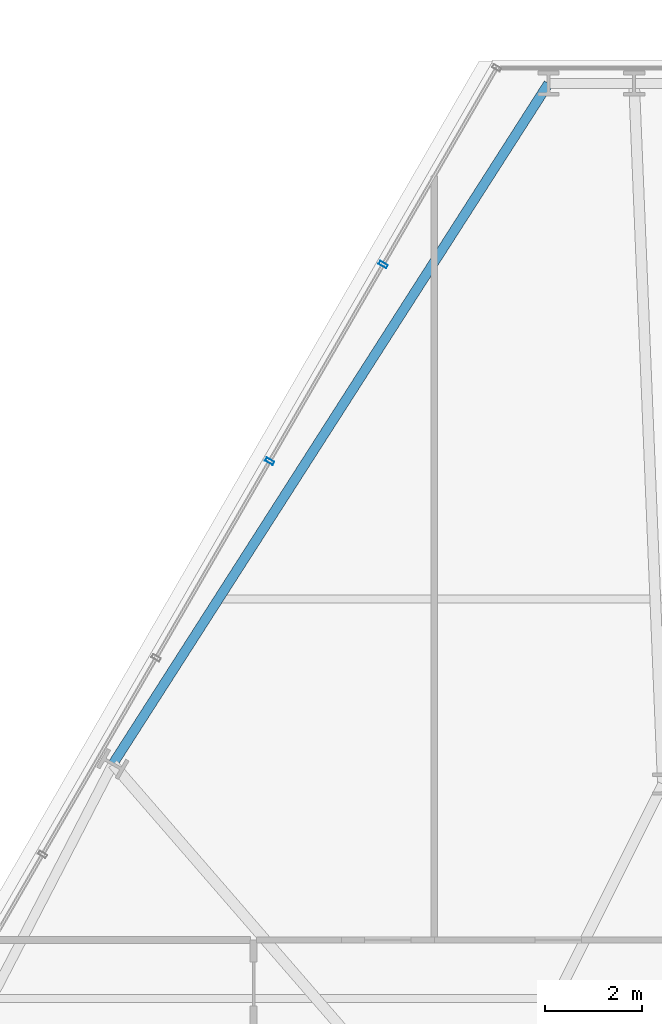
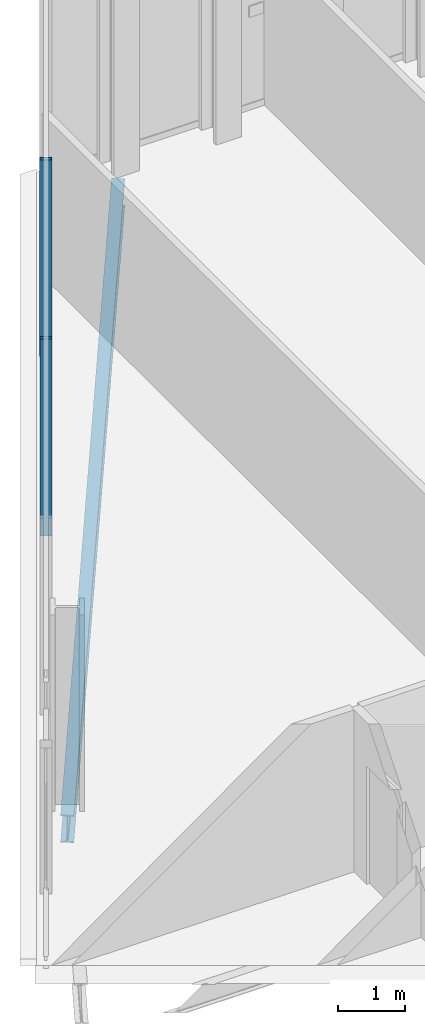
# One storey, part 22 of 33: 2 members, 1 beam, 1 element without a shape of its own.
"""IFC4 building model written with IfcOpenShell, lengths in metres."""

from ifc_helpers import new_model, si_unit, direction, frame, origin, origin_2d, place, context, subcontext, project, spatial, hollow_rectangle, i_section, extrude, material, layer, layer_set, material_profile, profile_set, type_object, element, aggregate, save


model = new_model("IFC4")

# Units and contexts
model_context = context("Model", 3, precision=1e-05, world=origin(), true_north=direction((0.0, 1.0)))
body_context = subcontext(model_context, "Body", "Model", "MODEL_VIEW")
ifc_project = project(units=[si_unit("LENGTHUNIT", "METRE"), si_unit("AREAUNIT", "SQUARE_METRE"), si_unit("VOLUMEUNIT", "CUBIC_METRE"), si_unit("PLANEANGLEUNIT", "RADIAN"), si_unit("MASSUNIT", "GRAM", prefix="KILO")], contexts=[model_context])

# Site, building, storey
site_placement = place(None, origin())
site = spatial("IfcSite", under=ifc_project, at=site_placement, CompositionType="ELEMENT")
building_placement = place(site_placement, origin())
building = spatial("IfcBuilding", under=site, at=building_placement, Name="Ndaravel Arena Tower", CompositionType="ELEMENT")
storey_placement = place(building_placement, frame((0.0, 0.0, 81.60009765625)))
storey = spatial("IfcBuildingStorey", under=building, at=storey_placement, Name="L18", CompositionType="ELEMENT", Elevation=81.60009765625)

# Beam
ifc_material_1 = material(Name="Steel S355", Category="steel")
ifc_material_profile_1 = material_profile(ifc_material_1, i_section(OverallWidth=0.199951171875, OverallDepth=0.5, WebThickness=0.01025390625, FlangeThickness=0.01611328125, FilletRadius=0.02099609375, at=origin_2d()), Name="IPE 500")
ifc_profile_set_1 = profile_set([ifc_material_profile_1], Name="Steel S355")
beam_type = type_object("IfcBeamType", Name="BM-SPAN-IPE500", PredefinedType="SPANDREL", material=ifc_profile_set_1)
beam_placement = place(storey_placement, frame((35.852783203125, 45.575927734375, -0.47021484375), z_axis=(-0.539178204501, -0.842191702519, 0.0), x_axis=(0.842191702519, -0.539178204501, 0.0)))
element("IfcBeam", 1, at=beam_placement, inside=storey, type_object=beam_type, Name="L18 Perimeter Spandrel Beam SP-18", PredefinedType="SPANDREL", context=body_context, shape_type="SweptSolid", body=[
    extrude(i_section(OverallWidth=0.199951171875, OverallDepth=0.5, WebThickness=0.01025390625, FlangeThickness=0.01611328125, FilletRadius=0.02099609375, at=origin_2d()), origin(), (0.0, 0.0, 1.0), 16.58056640625),
])

# Curtain wall, members
ifc_material_2 = material(Name="Aluminium", Category="aluminium")
ifc_layer = layer(ifc_material_2, 0.179931640625)
ifc_layer_set = layer_set([ifc_layer], Name="Aluminium")
curtain_wall_type = type_object("IfcCurtainWallType", Name="CW-SYS-03", PredefinedType="NOTDEFINED", material=ifc_layer_set)
curtain_wall_placement = place(storey_placement, origin())
curtain_wall = element("IfcCurtainWall", 2, at=curtain_wall_placement, inside=storey, type_object=curtain_wall_type, Name="L18 Faceted Crystal Curtain Wall CW-L18-E05", PredefinedType="NOTDEFINED")
ifc_material_3 = material(Name="Aluminium", Category="aluminium")
ifc_material_profile_2 = material_profile(ifc_material_3, hollow_rectangle(XDim=0.074951171875, YDim=0.179931640625, WallThickness=0.00390625, at=origin_2d()), Name="CW MULLION 75x180x4")
ifc_profile_set_2 = profile_set([ifc_material_profile_2], Name="Aluminium")
member_type = type_object("IfcMemberType", Name="MEM-CW-MUL180", PredefinedType="MULLION", material=ifc_profile_set_2)
member_1_placement = place(storey_placement, frame((32.460205078125, 41.860595703125, 0.0), z_axis=(0.0, 0.0, 1.0), x_axis=(-0.5, -0.866025403784, 0.0)))
member_1 = element("IfcMember", 3, at=member_1_placement, type_object=member_type, Name="CW-L18-E05 Mullion 01", PredefinedType="MULLION", context=body_context, shape_type="SweptSolid", body=[
    extrude(hollow_rectangle(XDim=0.074951171875, YDim=0.179931640625, WallThickness=0.00390625, at=origin_2d()), origin(), (0.0, 0.0, 1.0), 3.579833984375),
])
member_2_placement = place(storey_placement, frame((30.13037109375, 37.824951171875, 0.0), z_axis=(0.0, 0.0, 1.0), x_axis=(-0.5, -0.866025403784, 0.0)))
member_2 = element("IfcMember", 4, at=member_2_placement, type_object=member_type, Name="CW-L18-E05 Mullion 02", PredefinedType="MULLION", context=body_context, shape_type="SweptSolid", body=[
    extrude(hollow_rectangle(XDim=0.074951171875, YDim=0.179931640625, WallThickness=0.00390625, at=origin_2d()), origin(), (0.0, 0.0, 1.0), 3.579833984375),
])
aggregate(curtain_wall, [member_1, member_2])

save(model, "model.ifc")
